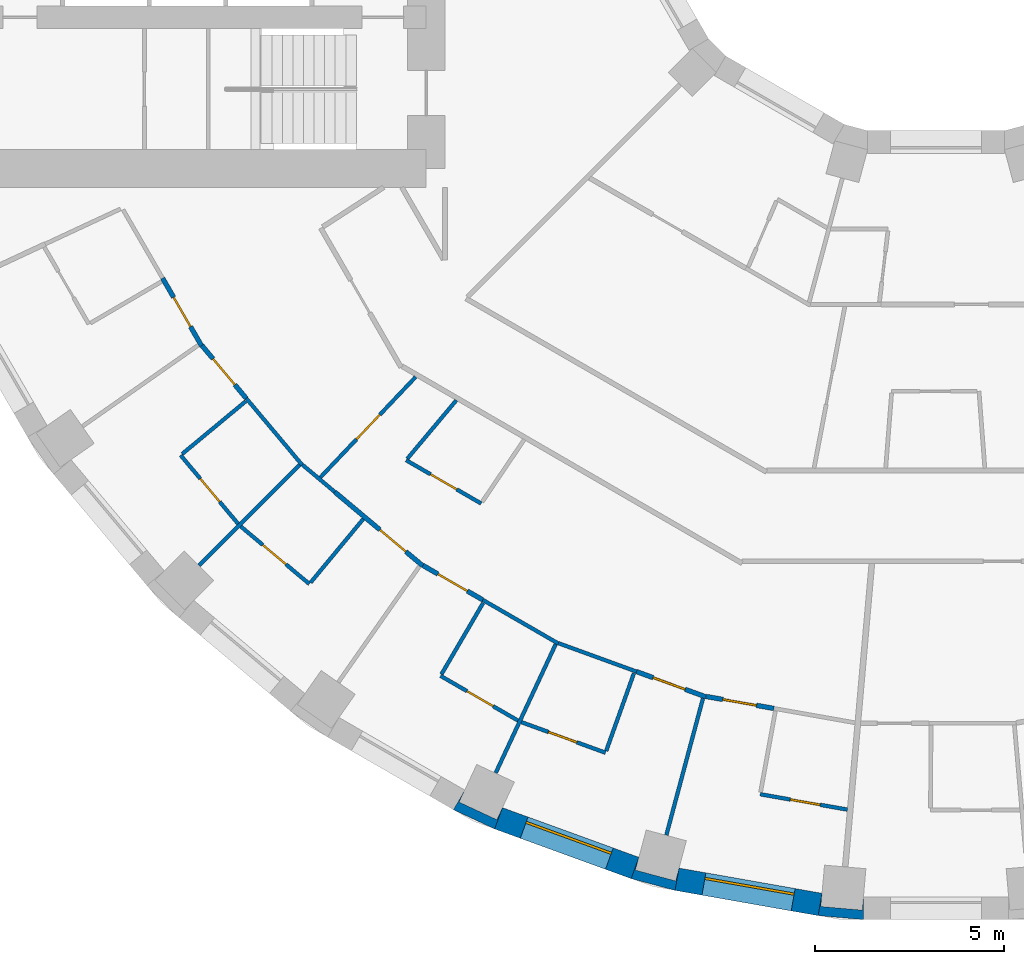
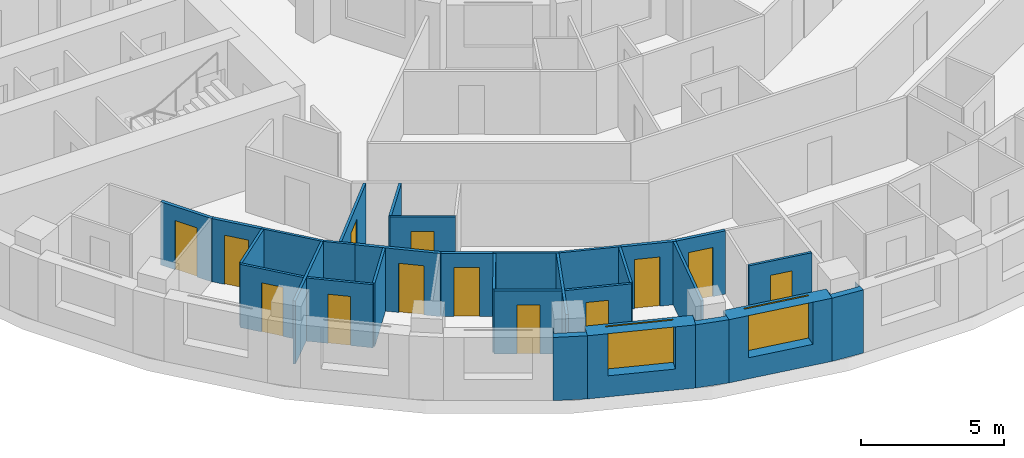
# One storey, part 4 of 15: 30 walls, 13 doors, 2 windows, 15 openings.
"""IFC4 building model written with IfcOpenShell, lengths in metres."""

from ifc_helpers import new_model, si_unit, direction, frame, frame_2d, origin, place, context, subcontext, project, spatial, polyline, rectangle, outline, extrude, material, layer, layer_set, type_object, element, fill, save


model = new_model("IFC4")

# Units and contexts
model_context = context("Model", 3, precision=1e-05, world=origin(), true_north=direction((0.0, 1.0)))
body_context = subcontext(model_context, "Body", "Model", "MODEL_VIEW")
ifc_project = project(units=[si_unit("LENGTHUNIT", "METRE"), si_unit("AREAUNIT", "SQUARE_METRE"), si_unit("VOLUMEUNIT", "CUBIC_METRE"), si_unit("PLANEANGLEUNIT", "RADIAN"), si_unit("MASSUNIT", "GRAM", prefix="KILO")], contexts=[model_context])

# Site, building, storey
site_placement = place(None, origin())
site = spatial("IfcSite", under=ifc_project, at=site_placement, CompositionType="ELEMENT")
building_placement = place(site_placement, origin())
building = spatial("IfcBuilding", under=site, at=building_placement, Name="Saqina Gate Tower", CompositionType="ELEMENT")
storey_placement = place(building_placement, frame((0.0, 0.0, 79.10009765625)))
storey = spatial("IfcBuildingStorey", under=building, at=storey_placement, Name="L22", CompositionType="ELEMENT", Elevation=79.10009765625)

# Walls
ifc_material_1 = material(Name="Brick masonry (red)", Category="masonry")
wall_type_1 = type_object("IfcWallType", Name="BRICK PIER COPING RED", PredefinedType="SOLIDWALL", material=ifc_material_1)
wall_1_placement = place(storey_placement, origin())
element("IfcWall", 1, at=wall_1_placement, inside=storey, type_object=wall_type_1, Name="Pier cap L22 column 25", PredefinedType="SOLIDWALL", context=body_context, shape_type="SweptSolid", body=[
    extrude(outline(polyline([(-11.687744140625, -26.48974609375), (-11.482666015625, -25.92578125), (-11.630615234375, -26.243408203125), (-12.627685546875, -25.778564453125), (-12.4794921875, -25.4609375), (-12.779541015625, -25.980712890625), (-11.687744140625, -26.48974609375)])), origin(), (0.0, 0.0, 1.0), 2.699951171875),
])
wall_2_placement = place(storey_placement, origin())
element("IfcWall", 2, at=wall_2_placement, inside=storey, type_object=wall_type_1, Name="Pier cap L22 column 26", PredefinedType="SOLIDWALL", context=body_context, shape_type="SweptSolid", body=[
    extrude(outline(polyline([(-6.910400390625, -28.11669921875), (-6.80615234375, -27.52587890625), (-6.896728515625, -27.864501953125), (-7.95947265625, -27.57958984375), (-7.86865234375, -27.2412109375), (-8.073974609375, -27.80517578125), (-6.910400390625, -28.11669921875)])), origin(), (0.0, 0.0, 1.0), 2.699951171875),
])
wall_3_placement = place(storey_placement, origin())
element("IfcWall", 3, at=wall_3_placement, inside=storey, type_object=wall_type_1, Name="Pier cap L22 column 27", PredefinedType="SOLIDWALL", context=body_context, shape_type="SweptSolid", body=[
    extrude(outline(polyline([(-3.122802734375, -28.78466796875), (-1.9228515625, -28.8896484375), (-1.9228515625, -28.28955078125), (-1.95361328125, -28.638671875), (-3.04931640625, -28.54296875), (-3.018798828125, -28.19384765625), (-3.122802734375, -28.78466796875)])), origin(), (0.0, 0.0, 1.0), 2.699951171875),
])

# Wall, opening, window
ifc_material_2 = material(Name="Brick masonry (red)", Category="masonry")
ifc_layer_1 = layer(ifc_material_2, 0.60009765625)
ifc_layer_set_1 = layer_set([ifc_layer_1], Name="FW-BRICK-RED")
wall_type_2 = type_object("IfcWallType", Name="FW-BRICK-RED", PredefinedType="SOLIDWALL", material=ifc_layer_set_1)
wall_4_placement = place(storey_placement, frame((-11.585205078125, -26.207763671875, 0.0), z_axis=(0.0, 0.0, 1.0), x_axis=(0.939689588564, -0.342028474173, 0.0)))
wall_4 = element("IfcWall", 4, at=wall_4_placement, inside=storey, type_object=wall_type_2, Name="Facade wall L22 facet 25", PredefinedType="SOLIDWALL", context=body_context, shape_type="SweptSolid", body=[
    extrude(rectangle(XDim=3.845947265625, YDim=0.60009765625, at=frame_2d((1.9228515625, 0.0))), origin(), (0.0, 0.0, 1.0), 2.699951171875),
])
opening_1_placement = place(wall_4_placement, frame((0.722900390625, 0.0, 0.89990234375)))
opening_1 = element("IfcOpeningElement", 5, at=opening_1_placement, cuts=wall_4, Name="Opening G06-W14", PredefinedType="OPENING", context=body_context, shape_type="SweptSolid", body=[
    extrude(rectangle(XDim=2.39990234375, YDim=1.800048828125, at=frame_2d((1.199951171875, 0.89990234375))), frame((0.0, 0.31201171875, 0.0), z_axis=(0.0, -1.0, 0.0), x_axis=(1.0, 0.0, 0.0)), (0.0, 0.0, 1.0), 0.6240234375),
])
ifc_material_3 = material(Name="Aluminium glazing", Category="aluminium")
window_type = type_object("IfcWindowType", Name="WN-A", PartitioningType="SINGLE_PANEL", PredefinedType="WINDOW", material=ifc_material_3)
window_1_placement = place(opening_1_placement, origin())
window_1 = element("IfcWindow", 6, at=window_1_placement, inside=storey, type_object=window_type, Name="Window L22 facet 25", OverallHeight=1.800048828125, OverallWidth=2.39990234375, PartitioningType="SINGLE_PANEL", PredefinedType="WINDOW", context=body_context, shape_type="SweptSolid", body=[
    extrude(rectangle(XDim=2.39990234375, YDim=1.800048828125, at=frame_2d((1.199951171875, 0.89990234375))), frame((0.0, 0.179931640625, 0.0), z_axis=(0.0, -1.0, 0.0), x_axis=(1.0, 0.0, 0.0)), (0.0, 0.0, 1.0), 0.06005859375),
])
fill(opening_1, window_1)

wall_5_placement = place(storey_placement, frame((-6.858154296875, -27.8212890625, 0.0), z_axis=(0.0, 0.0, 1.0), x_axis=(0.984800809218, -0.173687553279, 0.0)))
wall_5 = element("IfcWall", 7, at=wall_5_placement, inside=storey, type_object=wall_type_2, Name="Facade wall L22 facet 26", PredefinedType="SOLIDWALL", context=body_context, shape_type="SweptSolid", body=[
    extrude(rectangle(XDim=3.845703125, YDim=0.60009765625, at=frame_2d((1.9228515625, 0.0))), origin(), (0.0, 0.0, 1.0), 2.699951171875),
])
opening_2_placement = place(wall_5_placement, frame((0.722900390625, 0.0, 0.89990234375)))
opening_2 = element("IfcOpeningElement", 8, at=opening_2_placement, cuts=wall_5, Name="Opening G06-W15", PredefinedType="OPENING", context=body_context, shape_type="SweptSolid", body=[
    extrude(rectangle(XDim=2.39990234375, YDim=1.800048828125, at=frame_2d((1.199951171875, 0.89990234375))), frame((0.0, 0.31201171875, 0.0), z_axis=(0.0, -1.0, 0.0), x_axis=(1.0, 0.0, 0.0)), (0.0, 0.0, 1.0), 0.6240234375),
])
window_2_placement = place(opening_2_placement, origin())
window_2 = element("IfcWindow", 9, at=window_2_placement, inside=storey, type_object=window_type, Name="Window L22 facet 26", OverallHeight=1.800048828125, OverallWidth=2.39990234375, PartitioningType="SINGLE_PANEL", PredefinedType="WINDOW", context=body_context, shape_type="SweptSolid", body=[
    extrude(rectangle(XDim=2.39990234375, YDim=1.800048828125, at=frame_2d((1.199951171875, 0.89990234375))), frame((0.0, 0.179931640625, 0.0), z_axis=(0.0, -1.0, 0.0), x_axis=(1.0, 0.0, 0.0)), (0.0, 0.0, 1.0), 0.06005859375),
])
fill(opening_2, window_2)

# Wall, opening, door
ifc_material_4 = material(Name="Gypsum board on steel studs, 100 mm", Category="steel")
ifc_layer_2 = layer(ifc_material_4, 0.10009765625)
ifc_layer_set_2 = layer_set([ifc_layer_2], Name="PARTITION 100")
wall_type_3 = type_object("IfcWallType", Name="PARTITION 100", PredefinedType="PARTITIONING", material=ifc_layer_set_2)
wall_6_placement = place(storey_placement, frame((-20.0029296875, -16.593994140625, 0.0), z_axis=(0.0, 0.0, 1.0), x_axis=(0.642582995886, -0.766216087927, 0.0)))
wall_6 = element("IfcWall", 10, at=wall_6_placement, inside=storey, type_object=wall_type_3, Name="PARTITION PW3-29", PredefinedType="PARTITIONING", context=body_context, shape_type="SweptSolid", body=[
    extrude(rectangle(XDim=2.36962890625, YDim=0.10009765625, at=frame_2d((1.184814453125, 0.0))), origin(), (0.0, 0.0, 1.0), 2.699951171875),
])
opening_3_placement = place(wall_6_placement, frame((0.809814453125, 0.0, 0.0)))
opening_3 = element("IfcOpeningElement", 11, at=opening_3_placement, cuts=wall_6, Name="Opening G06-D38", PredefinedType="OPENING", context=body_context, shape_type="SweptSolid", body=[
    extrude(rectangle(XDim=0.800048828125, YDim=2.10009765625, at=frame_2d((0.39990234375, 1.050048828125))), frame((0.0, 0.06201171875, 0.0), z_axis=(0.0, -1.0, 0.0), x_axis=(1.0, 0.0, 0.0)), (0.0, 0.0, 1.0), 0.1240234375),
])
ifc_material_5 = material(Name="Timber door leaf, 800 mm", Category="wood")
door_type_1 = type_object("IfcDoorType", Name="DOOR 800 TIMBER", OperationType="SINGLE_SWING_LEFT", PredefinedType="DOOR", material=ifc_material_5)
door_1_placement = place(opening_3_placement, frame((0.800048828125, 0.0, 0.0), z_axis=(0.0, 0.0, 1.0), x_axis=(-1.0, 0.0, 0.0)))
door_1 = element("IfcDoor", 12, at=door_1_placement, inside=storey, type_object=door_type_1, Name="DOOR G06-D38", OperationType="SINGLE_SWING_LEFT", OverallHeight=2.10009765625, OverallWidth=0.800048828125, PredefinedType="DOOR", context=body_context, shape_type="SweptSolid", body=[
    extrude(rectangle(XDim=0.800048828125, YDim=2.10009765625, at=frame_2d((0.39990234375, 1.050048828125))), frame((0.0, 0.02490234375, 0.0), z_axis=(0.0, -1.0, 0.0), x_axis=(1.0, 0.0, 0.0)), (0.0, 0.0, 1.0), 0.050048828125),
])
fill(opening_3, door_1)

# Wall
wall_7_placement = place(storey_placement, frame((-18.26513671875, -15.087646484375, 0.0), z_axis=(0.0, 0.0, 1.0), x_axis=(0.642971075568, -0.765890459519, 0.0)))
element("IfcWall", 13, at=wall_7_placement, inside=storey, type_object=wall_type_3, Name="PARTITION PW3-30", PredefinedType="PARTITIONING", context=body_context, shape_type="SweptSolid", body=[
    extrude(rectangle(XDim=2.305908203125, YDim=0.10009765625, at=frame_2d((1.15283203125, 0.0))), origin(), (0.0, 0.0, 1.0), 2.699951171875),
])

# Wall, opening, door
wall_8_placement = place(storey_placement, frame((-18.40966796875, -18.480224609375, 0.0), z_axis=(0.0, 0.0, 1.0), x_axis=(0.766216087927, -0.642582995886, 0.0)))
wall_8 = element("IfcWall", 14, at=wall_8_placement, inside=storey, type_object=wall_type_3, Name="PARTITION PW3-34", PredefinedType="PARTITIONING", context=body_context, shape_type="SweptSolid", body=[
    extrude(rectangle(XDim=2.36962890625, YDim=0.10009765625, at=frame_2d((1.184814453125, 0.0))), origin(), (0.0, 0.0, 1.0), 2.699951171875),
])
opening_4_placement = place(wall_8_placement, frame((0.760009765625, 0.0, 0.0)))
opening_4 = element("IfcOpeningElement", 15, at=opening_4_placement, cuts=wall_8, Name="Opening G06-D40", PredefinedType="OPENING", context=body_context, shape_type="SweptSolid", body=[
    extrude(rectangle(XDim=0.800048828125, YDim=2.10009765625, at=frame_2d((0.39990234375, 1.050048828125))), frame((0.0, 0.06201171875, 0.0), z_axis=(0.0, -1.0, 0.0), x_axis=(1.0, 0.0, 0.0)), (0.0, 0.0, 1.0), 0.1240234375),
])
door_2_placement = place(opening_4_placement, frame((0.800048828125, 0.0, 0.0), z_axis=(0.0, 0.0, 1.0), x_axis=(-1.0, 0.0, 0.0)))
door_2 = element("IfcDoor", 16, at=door_2_placement, inside=storey, type_object=door_type_1, Name="DOOR G06-D40", OperationType="SINGLE_SWING_RIGHT", OverallHeight=2.10009765625, OverallWidth=0.800048828125, PredefinedType="DOOR", context=body_context, shape_type="SweptSolid", body=[
    extrude(rectangle(XDim=0.800048828125, YDim=2.10009765625, at=frame_2d((0.39990234375, 1.050048828125))), frame((0.0, 0.02490234375, 0.0), z_axis=(0.0, -1.0, 0.0), x_axis=(1.0, 0.0, 0.0)), (0.0, 0.0, 1.0), 0.050048828125),
])
fill(opening_4, door_2)

# Wall
wall_9_placement = place(storey_placement, frame((-16.776611328125, -16.84716796875, 0.0), z_axis=(0.0, 0.0, 1.0), x_axis=(0.765872525931, -0.642992436988, 0.0)))
element("IfcWall", 17, at=wall_9_placement, inside=storey, type_object=wall_type_3, Name="PARTITION PW3-35", PredefinedType="PARTITIONING", context=body_context, shape_type="SweptSolid", body=[
    extrude(rectangle(XDim=1.11865234375, YDim=0.10009765625, at=frame_2d((0.559326171875, 0.0))), origin(), (0.0, 0.0, 1.0), 2.699951171875),
])

# Wall, opening, door
wall_10_placement = place(storey_placement, frame((-13.12109375, -22.43505859375, 0.0), z_axis=(0.0, 0.0, 1.0), x_axis=(0.865983086396, -0.500073288705, 0.0)))
wall_10 = element("IfcWall", 18, at=wall_10_placement, inside=storey, type_object=wall_type_3, Name="PARTITION PW3-38", PredefinedType="PARTITIONING", context=body_context, shape_type="SweptSolid", body=[
    extrude(rectangle(XDim=2.369384765625, YDim=0.10009765625, at=frame_2d((1.1845703125, 0.0))), origin(), (0.0, 0.0, 1.0), 2.699951171875),
])
opening_5_placement = place(wall_10_placement, frame((0.809814453125, 0.0, 0.0)))
opening_5 = element("IfcOpeningElement", 19, at=opening_5_placement, cuts=wall_10, Name="Opening G06-D45", PredefinedType="OPENING", context=body_context, shape_type="SweptSolid", body=[
    extrude(rectangle(XDim=0.800048828125, YDim=2.10009765625, at=frame_2d((0.39990234375, 1.050048828125))), frame((0.0, 0.06201171875, 0.0), z_axis=(0.0, -1.0, 0.0), x_axis=(1.0, 0.0, 0.0)), (0.0, 0.0, 1.0), 0.1240234375),
])
door_3_placement = place(opening_5_placement, frame((0.800048828125, 0.0, 0.0), z_axis=(0.0, 0.0, 1.0), x_axis=(-1.0, 0.0, 0.0)))
door_3 = element("IfcDoor", 20, at=door_3_placement, inside=storey, type_object=door_type_1, Name="DOOR G06-D45", OperationType="SINGLE_SWING_LEFT", OverallHeight=2.10009765625, OverallWidth=0.800048828125, PredefinedType="DOOR", context=body_context, shape_type="SweptSolid", body=[
    extrude(rectangle(XDim=0.800048828125, YDim=2.10009765625, at=frame_2d((0.39990234375, 1.050048828125))), frame((0.0, 0.02490234375, 0.0), z_axis=(0.0, -1.0, 0.0), x_axis=(1.0, 0.0, 0.0)), (0.0, 0.0, 1.0), 0.050048828125),
])
fill(opening_5, door_3)

# Wall
wall_11_placement = place(storey_placement, frame((-12.00341796875, -20.424072265625, 0.0), z_axis=(0.0, 0.0, 1.0), x_axis=(0.865993433642, -0.500055369823, 0.0)))
element("IfcWall", 21, at=wall_11_placement, inside=storey, type_object=wall_type_3, Name="PARTITION PW3-39", PredefinedType="PARTITIONING", context=body_context, shape_type="SweptSolid", body=[
    extrude(rectangle(XDim=2.306396484375, YDim=0.10009765625, at=frame_2d((1.1533203125, 0.0))), origin(), (0.0, 0.0, 1.0), 2.699951171875),
])

# Wall, opening, door
wall_12_placement = place(storey_placement, frame((-14.032958984375, -16.72412109375, 0.0), z_axis=(0.0, 0.0, 1.0), x_axis=(0.866073957571, -0.499915892944, 0.0)))
wall_12 = element("IfcWall", 22, at=wall_12_placement, inside=storey, type_object=wall_type_3, Name="PARTITION PW3-40", PredefinedType="PARTITIONING", context=body_context, shape_type="SweptSolid", body=[
    extrude(rectangle(XDim=2.29443359375, YDim=0.10009765625, at=frame_2d((1.147216796875, 0.0))), origin(), (0.0, 0.0, 1.0), 2.699951171875),
])
opening_6_placement = place(wall_12_placement, frame((0.7470703125, 0.0, 0.0)))
opening_6 = element("IfcOpeningElement", 23, at=opening_6_placement, cuts=wall_12, Name="Opening G06-D42", PredefinedType="OPENING", context=body_context, shape_type="SweptSolid", body=[
    extrude(rectangle(XDim=0.800048828125, YDim=2.10009765625, at=frame_2d((0.39990234375, 1.050048828125))), frame((0.0, 0.06201171875, 0.0), z_axis=(0.0, -1.0, 0.0), x_axis=(1.0, 0.0, 0.0)), (0.0, 0.0, 1.0), 0.1240234375),
])
door_4_placement = place(opening_6_placement, frame((0.800048828125, 0.0, 0.0), z_axis=(0.0, 0.0, 1.0), x_axis=(-1.0, 0.0, 0.0)))
door_4 = element("IfcDoor", 24, at=door_4_placement, inside=storey, type_object=door_type_1, Name="DOOR G06-D42", OperationType="SINGLE_SWING_RIGHT", OverallHeight=2.10009765625, OverallWidth=0.800048828125, PredefinedType="DOOR", context=body_context, shape_type="SweptSolid", body=[
    extrude(rectangle(XDim=0.800048828125, YDim=2.10009765625, at=frame_2d((0.39990234375, 1.050048828125))), frame((0.0, 0.02490234375, 0.0), z_axis=(0.0, -1.0, 0.0), x_axis=(1.0, 0.0, 0.0)), (0.0, 0.0, 1.0), 0.050048828125),
])
fill(opening_6, door_4)

wall_13_placement = place(storey_placement, frame((-10.97900390625, -23.662109375, 0.0), z_axis=(0.0, 0.0, 1.0), x_axis=(0.939796431489, -0.341734790972, 0.0)))
wall_13 = element("IfcWall", 25, at=wall_13_placement, inside=storey, type_object=wall_type_3, Name="PARTITION PW3-49", PredefinedType="PARTITIONING", context=body_context, shape_type="SweptSolid", body=[
    extrude(rectangle(XDim=2.36962890625, YDim=0.10009765625, at=frame_2d((1.184814453125, 0.0))), origin(), (0.0, 0.0, 1.0), 2.699951171875),
])
opening_7_placement = place(wall_13_placement, frame((0.760009765625, 0.0, 0.0)))
opening_7 = element("IfcOpeningElement", 26, at=opening_7_placement, cuts=wall_13, Name="Opening G06-D47", PredefinedType="OPENING", context=body_context, shape_type="SweptSolid", body=[
    extrude(rectangle(XDim=0.800048828125, YDim=2.10009765625, at=frame_2d((0.39990234375, 1.050048828125))), frame((0.0, 0.06201171875, 0.0), z_axis=(0.0, -1.0, 0.0), x_axis=(1.0, 0.0, 0.0)), (0.0, 0.0, 1.0), 0.1240234375),
])
door_5_placement = place(opening_7_placement, frame((0.800048828125, 0.0, 0.0), z_axis=(0.0, 0.0, 1.0), x_axis=(-1.0, 0.0, 0.0)))
door_5 = element("IfcDoor", 27, at=door_5_placement, inside=storey, type_object=door_type_1, Name="DOOR G06-D47", OperationType="SINGLE_SWING_RIGHT", OverallHeight=2.10009765625, OverallWidth=0.800048828125, PredefinedType="DOOR", context=body_context, shape_type="SweptSolid", body=[
    extrude(rectangle(XDim=0.800048828125, YDim=2.10009765625, at=frame_2d((0.39990234375, 1.050048828125))), frame((0.0, 0.02490234375, 0.0), z_axis=(0.0, -1.0, 0.0), x_axis=(1.0, 0.0, 0.0)), (0.0, 0.0, 1.0), 0.050048828125),
])
fill(opening_7, door_5)

# Wall
wall_14_placement = place(storey_placement, frame((-10.0029296875, -21.569091796875, 0.0), z_axis=(0.0, 0.0, 1.0), x_axis=(0.939728749343, -0.341920864613, 0.0)))
element("IfcWall", 28, at=wall_14_placement, inside=storey, type_object=wall_type_3, Name="PARTITION PW3-50", PredefinedType="PARTITIONING", context=body_context, shape_type="SweptSolid", body=[
    extrude(rectangle(XDim=2.204833984375, YDim=0.10009765625, at=frame_2d((1.1025390625, 0.0))), origin(), (0.0, 0.0, 1.0), 2.699951171875),
])

# Wall, opening, door
wall_15_placement = place(storey_placement, frame((-4.656005859375, -25.570068359375, 0.0), z_axis=(0.0, 0.0, 1.0), x_axis=(0.984807668853, -0.173648654958, 0.0)))
wall_15 = element("IfcWall", 29, at=wall_15_placement, inside=storey, type_object=wall_type_3, Name="PARTITION PW3-53", PredefinedType="PARTITIONING", context=body_context, shape_type="SweptSolid", body=[
    extrude(rectangle(XDim=2.34375, YDim=0.10009765625, at=frame_2d((1.171875, 0.0))), origin(), (0.0, 0.0, 1.0), 2.699951171875),
])
opening_8_placement = place(wall_15_placement, frame((0.809326171875, 0.0, 0.0)))
opening_8 = element("IfcOpeningElement", 30, at=opening_8_placement, cuts=wall_15, Name="Opening G06-D51", PredefinedType="OPENING", context=body_context, shape_type="SweptSolid", body=[
    extrude(rectangle(XDim=0.800048828125, YDim=2.10009765625, at=frame_2d((0.39990234375, 1.050048828125))), frame((0.0, 0.06201171875, 0.0), z_axis=(0.0, -1.0, 0.0), x_axis=(1.0, 0.0, 0.0)), (0.0, 0.0, 1.0), 0.1240234375),
])
door_6_placement = place(opening_8_placement, frame((0.800048828125, 0.0, 0.0), z_axis=(0.0, 0.0, 1.0), x_axis=(-1.0, 0.0, 0.0)))
door_6 = element("IfcDoor", 31, at=door_6_placement, inside=storey, type_object=door_type_1, Name="DOOR G06-D51", OperationType="SINGLE_SWING_LEFT", OverallHeight=2.10009765625, OverallWidth=0.800048828125, PredefinedType="DOOR", context=body_context, shape_type="SweptSolid", body=[
    extrude(rectangle(XDim=0.800048828125, YDim=2.10009765625, at=frame_2d((0.39990234375, 1.050048828125))), frame((0.0, 0.02490234375, 0.0), z_axis=(0.0, -1.0, 0.0), x_axis=(1.0, 0.0, 0.0)), (0.0, 0.0, 1.0), 0.050048828125),
])
fill(opening_8, door_6)

# Walls
wall_16_placement = place(storey_placement, frame((-19.964599609375, -16.56201171875, 0.0), z_axis=(0.0, 0.0, 1.0), x_axis=(0.769792742447, 0.638293924204, 0.0)))
element("IfcWall", 32, at=wall_16_placement, inside=storey, type_object=wall_type_3, Name="PARTITION PW3-87", PredefinedType="PARTITIONING", context=body_context, shape_type="SweptSolid", body=[
    extrude(rectangle(XDim=2.18701171875, YDim=0.10009765625, at=frame_2d((1.093505859375, 0.0))), origin(), (0.0, 0.0, 1.0), 2.699951171875),
])
wall_17_placement = place(storey_placement, frame((-19.509033203125, -19.509033203125, 0.0), z_axis=(0.0, 0.0, 1.0), x_axis=(0.707106781187, 0.707106781187, 0.0)))
element("IfcWall", 33, at=wall_17_placement, inside=storey, type_object=wall_type_3, Name="PARTITION PW3-94", PredefinedType="PARTITIONING", context=body_context, shape_type="SweptSolid", body=[
    extrude(rectangle(XDim=3.760009765625, YDim=0.10009765625, at=frame_2d((1.8798828125, 0.0))), origin(), (0.0, 0.0, 1.0), 2.699951171875),
])

# Wall, opening, door
wall_18_placement = place(storey_placement, frame((-16.302490234375, -17.1796875, 0.0), z_axis=(0.0, 0.0, 1.0), x_axis=(0.688231699575, 0.725490956319, 0.0)))
wall_18 = element("IfcWall", 34, at=wall_18_placement, inside=storey, type_object=wall_type_3, Name="PARTITION PW3-96", PredefinedType="PARTITIONING", context=body_context, shape_type="SweptSolid", body=[
    extrude(rectangle(XDim=3.66943359375, YDim=0.10009765625, at=frame_2d((1.834716796875, 0.0))), origin(), (0.0, 0.0, 1.0), 2.699951171875),
])
opening_9_placement = place(wall_18_placement, frame((1.39111328125, 0.0, 0.0)))
opening_9 = element("IfcOpeningElement", 35, at=opening_9_placement, cuts=wall_18, Name="Opening G06-D39", PredefinedType="OPENING", context=body_context, shape_type="SweptSolid", body=[
    extrude(rectangle(XDim=0.89990234375, YDim=2.10009765625, at=frame_2d((0.449951171875, 1.050048828125))), frame((0.0, 0.06201171875, 0.0), z_axis=(0.0, -1.0, 0.0), x_axis=(1.0, 0.0, 0.0)), (0.0, 0.0, 1.0), 0.1240234375),
])
ifc_material_6 = material(Name="Timber door leaf, 900 mm", Category="wood")
door_type_2 = type_object("IfcDoorType", Name="DOOR 900 TIMBER", OperationType="SINGLE_SWING_LEFT", PredefinedType="DOOR", material=ifc_material_6)
door_7_placement = place(opening_9_placement, frame((0.89990234375, 0.0, 0.0), z_axis=(0.0, 0.0, 1.0), x_axis=(-1.0, 0.0, 0.0)))
door_7 = element("IfcDoor", 36, at=door_7_placement, inside=storey, type_object=door_type_2, Name="DOOR G06-D39", OperationType="SINGLE_SWING_LEFT", OverallHeight=2.10009765625, OverallWidth=0.89990234375, PredefinedType="DOOR", context=body_context, shape_type="SweptSolid", body=[
    extrude(rectangle(XDim=0.89990234375, YDim=2.10009765625, at=frame_2d((0.449951171875, 1.050048828125))), frame((0.0, 0.02490234375, 0.0), z_axis=(0.0, -1.0, 0.0), x_axis=(1.0, 0.0, 0.0)), (0.0, 0.0, 1.0), 0.050048828125),
])
fill(opening_9, door_7)

# Walls
wall_19_placement = place(storey_placement, frame((-14.0009765625, -16.685791015625, 0.0), z_axis=(0.0, 0.0, 1.0), x_axis=(0.642749630893, 0.766076309507, 0.0)))
element("IfcWall", 37, at=wall_19_placement, inside=storey, type_object=wall_type_3, Name="PARTITION PW3-98", PredefinedType="PARTITIONING", context=body_context, shape_type="SweptSolid", body=[
    extrude(rectangle(XDim=2.019287109375, YDim=0.10009765625, at=frame_2d((1.009765625, 0.0))), origin(), (0.0, 0.0, 1.0), 2.699951171875),
])
wall_20_placement = place(storey_placement, frame((-16.56201171875, -19.964599609375, 0.0), z_axis=(0.0, 0.0, 1.0), x_axis=(0.638293924204, 0.769792742447, 0.0)))
element("IfcWall", 38, at=wall_20_placement, inside=storey, type_object=wall_type_3, Name="PARTITION PW3-99", PredefinedType="PARTITIONING", context=body_context, shape_type="SweptSolid", body=[
    extrude(rectangle(XDim=2.18701171875, YDim=0.10009765625, at=frame_2d((1.093505859375, 0.0))), origin(), (0.0, 0.0, 1.0), 2.699951171875),
])
wall_21_placement = place(storey_placement, frame((-13.095703125, -22.391845703125, 0.0), z_axis=(0.0, 0.0, 1.0), x_axis=(0.504682514116, 0.863305021383, 0.0)))
element("IfcWall", 39, at=wall_21_placement, inside=storey, type_object=wall_type_3, Name="PARTITION PW3-104", PredefinedType="PARTITIONING", context=body_context, shape_type="SweptSolid", body=[
    extrude(rectangle(XDim=2.18798828125, YDim=0.10009765625, at=frame_2d((1.093994140625, 0.0))), origin(), (0.0, 0.0, 1.0), 2.699951171875),
])
wall_22_placement = place(storey_placement, frame((-11.659912109375, -25.005126953125, 0.0), z_axis=(0.0, 0.0, 1.0), x_axis=(0.422579737865, 0.906325750018, 0.0)))
element("IfcWall", 40, at=wall_22_placement, inside=storey, type_object=wall_type_3, Name="PARTITION PW3-107", PredefinedType="PARTITIONING", context=body_context, shape_type="SweptSolid", body=[
    extrude(rectangle(XDim=3.760009765625, YDim=0.10009765625, at=frame_2d((1.8798828125, 0.0))), origin(), (0.0, 0.0, 1.0), 2.699951171875),
])
wall_23_placement = place(storey_placement, frame((-8.735107421875, -24.4248046875, 0.0), z_axis=(0.0, 0.0, 1.0), x_axis=(0.336477788464, 0.941691402674, 0.0)))
element("IfcWall", 41, at=wall_23_placement, inside=storey, type_object=wall_type_3, Name="PARTITION PW3-110", PredefinedType="PARTITIONING", context=body_context, shape_type="SweptSolid", body=[
    extrude(rectangle(XDim=2.1875, YDim=0.10009765625, at=frame_2d((1.09375, 0.0))), origin(), (0.0, 0.0, 1.0), 2.699951171875),
])
wall_24_placement = place(storey_placement, frame((-7.140625, -26.64990234375, 0.0), z_axis=(0.0, 0.0, 1.0), x_axis=(0.258720887447, 0.965952122208, 0.0)))
element("IfcWall", 42, at=wall_24_placement, inside=storey, type_object=wall_type_3, Name="PARTITION PW3-112", PredefinedType="PARTITIONING", context=body_context, shape_type="SweptSolid", body=[
    extrude(rectangle(XDim=3.747314453125, YDim=0.10009765625, at=frame_2d((1.87353515625, 0.0))), origin(), (0.0, 0.0, 1.0), 2.699951171875),
])

# Wall, opening, door
ifc_material_7 = material(Name="Gypsum board on steel studs, 125 mm, fire rated", Category="steel")
ifc_layer_3 = layer(ifc_material_7, 0.125)
ifc_layer_set_3 = layer_set([ifc_layer_3], Name="PARTITION EI 30 125")
wall_type_4 = type_object("IfcWallType", Name="PARTITION EI 30 125", PredefinedType="PARTITIONING", material=ifc_layer_set_3)
wall_25_placement = place(storey_placement, frame((-20.480224609375, -11.90576171875, 0.0), z_axis=(0.0, 0.0, 1.0), x_axis=(0.499101616471, -0.866543464828, 0.0)))
wall_25 = element("IfcWall", 43, at=wall_25_placement, inside=storey, type_object=wall_type_4, Name="PARTITION PW1-03", PredefinedType="PARTITIONING", context=body_context, shape_type="SweptSolid", body=[
    extrude(rectangle(XDim=2.065673828125, YDim=0.125, at=frame_2d((1.03271484375, 0.0))), origin(), (0.0, 0.0, 1.0), 2.699951171875),
])
opening_10_placement = place(wall_25_placement, frame((0.582275390625, 0.0, 0.0)))
opening_10 = element("IfcOpeningElement", 44, at=opening_10_placement, cuts=wall_25, Name="Opening G06-D35", PredefinedType="OPENING", context=body_context, shape_type="SweptSolid", body=[
    extrude(rectangle(XDim=0.89990234375, YDim=2.10009765625, at=frame_2d((0.449951171875, 1.050048828125))), frame((0.0, 0.074462890625, 0.0), z_axis=(0.0, -1.0, 0.0), x_axis=(1.0, 0.0, 0.0)), (0.0, 0.0, 1.0), 0.14892578125),
])
ifc_material_8 = material(Name="Fire door leaf EI 30, 900 mm")
door_type_3 = type_object("IfcDoorType", Name="DOOR 900 EI 30", OperationType="SINGLE_SWING_LEFT", PredefinedType="DOOR", material=ifc_material_8)
door_8_placement = place(opening_10_placement, origin())
door_8 = element("IfcDoor", 45, at=door_8_placement, inside=storey, type_object=door_type_3, Name="DOOR G06-D35", OperationType="SINGLE_SWING_RIGHT", OverallHeight=2.10009765625, OverallWidth=0.89990234375, PredefinedType="DOOR", context=body_context, shape_type="SweptSolid", body=[
    extrude(rectangle(XDim=0.89990234375, YDim=2.10009765625, at=frame_2d((0.449951171875, 1.050048828125))), frame((0.0, 0.02490234375, 0.0), z_axis=(0.0, -1.0, 0.0), x_axis=(1.0, 0.0, 0.0)), (0.0, 0.0, 1.0), 0.050048828125),
])
fill(opening_10, door_8)

wall_26_placement = place(storey_placement, frame((-19.43994140625, -13.68798828125, 0.0), z_axis=(0.0, 0.0, 1.0), x_axis=(0.642900643574, -0.765949582213, 0.0)))
wall_26 = element("IfcWall", 46, at=wall_26_placement, inside=storey, type_object=wall_type_4, Name="PARTITION PW1-10", PredefinedType="PARTITIONING", context=body_context, shape_type="SweptSolid", body=[
    extrude(rectangle(XDim=1.827392578125, YDim=0.125, at=frame_2d((0.91357421875, 0.0))), origin(), (0.0, 0.0, 1.0), 2.699951171875),
])
opening_11_placement = place(wall_26_placement, frame((0.45751953125, 0.0, 0.0)))
opening_11 = element("IfcOpeningElement", 47, at=opening_11_placement, cuts=wall_26, Name="Opening G06-D36", PredefinedType="OPENING", context=body_context, shape_type="SweptSolid", body=[
    extrude(rectangle(XDim=0.89990234375, YDim=2.10009765625, at=frame_2d((0.449951171875, 1.050048828125))), frame((0.0, 0.074462890625, 0.0), z_axis=(0.0, -1.0, 0.0), x_axis=(1.0, 0.0, 0.0)), (0.0, 0.0, 1.0), 0.14892578125),
])
door_9_placement = place(opening_11_placement, origin())
door_9 = element("IfcDoor", 48, at=door_9_placement, inside=storey, type_object=door_type_3, Name="DOOR G06-D36", OperationType="SINGLE_SWING_LEFT", OverallHeight=2.10009765625, OverallWidth=0.89990234375, PredefinedType="DOOR", context=body_context, shape_type="SweptSolid", body=[
    extrude(rectangle(XDim=0.89990234375, YDim=2.10009765625, at=frame_2d((0.449951171875, 1.050048828125))), frame((0.0, 0.02490234375, 0.0), z_axis=(0.0, -1.0, 0.0), x_axis=(1.0, 0.0, 0.0)), (0.0, 0.0, 1.0), 0.050048828125),
])
fill(opening_11, door_9)

wall_27_placement = place(storey_placement, frame((-15.920166015625, -17.566650390625, 0.0), z_axis=(0.0, 0.0, 1.0), x_axis=(0.766051220133, -0.642779533069, 0.0)))
wall_27 = element("IfcWall", 49, at=wall_27_placement, inside=storey, type_object=wall_type_4, Name="PARTITION PW1-16", PredefinedType="PARTITIONING", context=body_context, shape_type="SweptSolid", body=[
    extrude(rectangle(XDim=3.0400390625, YDim=0.125, at=frame_2d((1.52001953125, 0.0))), origin(), (0.0, 0.0, 1.0), 2.699951171875),
])
opening_12_placement = place(wall_27_placement, frame((1.556640625, 0.0, 0.0)))
opening_12 = element("IfcOpeningElement", 50, at=opening_12_placement, cuts=wall_27, Name="Opening G06-D41", PredefinedType="OPENING", context=body_context, shape_type="SweptSolid", body=[
    extrude(rectangle(XDim=0.89990234375, YDim=2.10009765625, at=frame_2d((0.449951171875, 1.050048828125))), frame((0.0, 0.074462890625, 0.0), z_axis=(0.0, -1.0, 0.0), x_axis=(1.0, 0.0, 0.0)), (0.0, 0.0, 1.0), 0.14892578125),
])
door_10_placement = place(opening_12_placement, origin())
door_10 = element("IfcDoor", 51, at=door_10_placement, inside=storey, type_object=door_type_3, Name="DOOR G06-D41", OperationType="SINGLE_SWING_RIGHT", OverallHeight=2.10009765625, OverallWidth=0.89990234375, PredefinedType="DOOR", context=body_context, shape_type="SweptSolid", body=[
    extrude(rectangle(XDim=0.89990234375, YDim=2.10009765625, at=frame_2d((0.449951171875, 1.050048828125))), frame((0.0, 0.02490234375, 0.0), z_axis=(0.0, -1.0, 0.0), x_axis=(1.0, 0.0, 0.0)), (0.0, 0.0, 1.0), 0.050048828125),
])
fill(opening_12, door_10)

wall_28_placement = place(storey_placement, frame((-13.5859375, -19.51123046875, 0.0), z_axis=(0.0, 0.0, 1.0), x_axis=(0.866221180263, -0.499660751775, 0.0)))
wall_28 = element("IfcWall", 52, at=wall_28_placement, inside=storey, type_object=wall_type_4, Name="PARTITION PW1-21", PredefinedType="PARTITIONING", context=body_context, shape_type="SweptSolid", body=[
    extrude(rectangle(XDim=1.826904296875, YDim=0.125, at=frame_2d((0.91357421875, 0.0))), origin(), (0.0, 0.0, 1.0), 2.699951171875),
])
opening_13_placement = place(wall_28_placement, frame((0.457275390625, 0.0, 0.0)))
opening_13 = element("IfcOpeningElement", 53, at=opening_13_placement, cuts=wall_28, Name="Opening G06-D44", PredefinedType="OPENING", context=body_context, shape_type="SweptSolid", body=[
    extrude(rectangle(XDim=0.89990234375, YDim=2.10009765625, at=frame_2d((0.449951171875, 1.050048828125))), frame((0.0, 0.074462890625, 0.0), z_axis=(0.0, -1.0, 0.0), x_axis=(1.0, 0.0, 0.0)), (0.0, 0.0, 1.0), 0.14892578125),
])
door_11_placement = place(opening_13_placement, origin())
door_11 = element("IfcDoor", 54, at=door_11_placement, inside=storey, type_object=door_type_3, Name="DOOR G06-D44", OperationType="SINGLE_SWING_LEFT", OverallHeight=2.10009765625, OverallWidth=0.89990234375, PredefinedType="DOOR", context=body_context, shape_type="SweptSolid", body=[
    extrude(rectangle(XDim=0.89990234375, YDim=2.10009765625, at=frame_2d((0.449951171875, 1.050048828125))), frame((0.0, 0.02490234375, 0.0), z_axis=(0.0, -1.0, 0.0), x_axis=(1.0, 0.0, 0.0)), (0.0, 0.0, 1.0), 0.050048828125),
])
fill(opening_13, door_11)

wall_29_placement = place(storey_placement, frame((-7.930908203125, -22.322998046875, 0.0), z_axis=(0.0, 0.0, 1.0), x_axis=(0.9395852567, -0.342314979795, 0.0)))
wall_29 = element("IfcWall", 55, at=wall_29_placement, inside=storey, type_object=wall_type_4, Name="PARTITION PW1-27", PredefinedType="PARTITIONING", context=body_context, shape_type="SweptSolid", body=[
    extrude(rectangle(XDim=1.953369140625, YDim=0.125, at=frame_2d((0.9765625, 0.0))), origin(), (0.0, 0.0, 1.0), 2.699951171875),
])
opening_14_placement = place(wall_29_placement, frame((0.47021484375, 0.0, 0.0)))
opening_14 = element("IfcOpeningElement", 56, at=opening_14_placement, cuts=wall_29, Name="Opening G06-D48", PredefinedType="OPENING", context=body_context, shape_type="SweptSolid", body=[
    extrude(rectangle(XDim=0.89990234375, YDim=2.10009765625, at=frame_2d((0.449951171875, 1.050048828125))), frame((0.0, 0.074462890625, 0.0), z_axis=(0.0, -1.0, 0.0), x_axis=(1.0, 0.0, 0.0)), (0.0, 0.0, 1.0), 0.14892578125),
])
door_12_placement = place(opening_14_placement, origin())
door_12 = element("IfcDoor", 57, at=door_12_placement, inside=storey, type_object=door_type_3, Name="DOOR G06-D48", OperationType="SINGLE_SWING_RIGHT", OverallHeight=2.10009765625, OverallWidth=0.89990234375, PredefinedType="DOOR", context=body_context, shape_type="SweptSolid", body=[
    extrude(rectangle(XDim=0.89990234375, YDim=2.10009765625, at=frame_2d((0.449951171875, 1.050048828125))), frame((0.0, 0.02490234375, 0.0), z_axis=(0.0, -1.0, 0.0), x_axis=(1.0, 0.0, 0.0)), (0.0, 0.0, 1.0), 0.050048828125),
])
fill(opening_14, door_12)

wall_30_placement = place(storey_placement, frame((-6.093505859375, -22.98095703125, 0.0), z_axis=(0.0, 0.0, 1.0), x_axis=(0.984813123205, -0.173617719035, 0.0)))
wall_30 = element("IfcWall", 58, at=wall_30_placement, inside=storey, type_object=wall_type_4, Name="PARTITION PW1-29", PredefinedType="PARTITIONING", context=body_context, shape_type="SweptSolid", body=[
    extrude(rectangle(XDim=1.828125, YDim=0.125, at=frame_2d((0.9140625, 0.0))), origin(), (0.0, 0.0, 1.0), 2.699951171875),
])
opening_15_placement = place(wall_30_placement, frame((0.457763671875, 0.0, 0.0)))
opening_15 = element("IfcOpeningElement", 59, at=opening_15_placement, cuts=wall_30, Name="Opening G06-D49", PredefinedType="OPENING", context=body_context, shape_type="SweptSolid", body=[
    extrude(rectangle(XDim=0.89990234375, YDim=2.10009765625, at=frame_2d((0.449951171875, 1.050048828125))), frame((0.0, 0.074462890625, 0.0), z_axis=(0.0, -1.0, 0.0), x_axis=(1.0, 0.0, 0.0)), (0.0, 0.0, 1.0), 0.14892578125),
])
door_13_placement = place(opening_15_placement, origin())
door_13 = element("IfcDoor", 60, at=door_13_placement, inside=storey, type_object=door_type_3, Name="DOOR G06-D49", OperationType="SINGLE_SWING_LEFT", OverallHeight=2.10009765625, OverallWidth=0.89990234375, PredefinedType="DOOR", context=body_context, shape_type="SweptSolid", body=[
    extrude(rectangle(XDim=0.89990234375, YDim=2.10009765625, at=frame_2d((0.449951171875, 1.050048828125))), frame((0.0, 0.02490234375, 0.0), z_axis=(0.0, -1.0, 0.0), x_axis=(1.0, 0.0, 0.0)), (0.0, 0.0, 1.0), 0.050048828125),
])
fill(opening_15, door_13)

save(model, "model.ifc")
